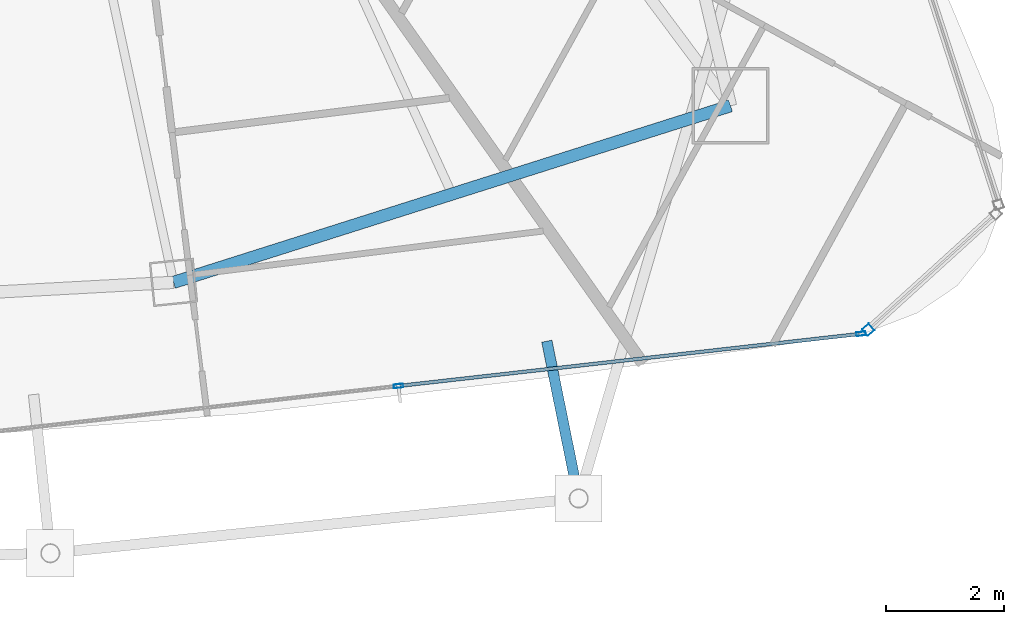
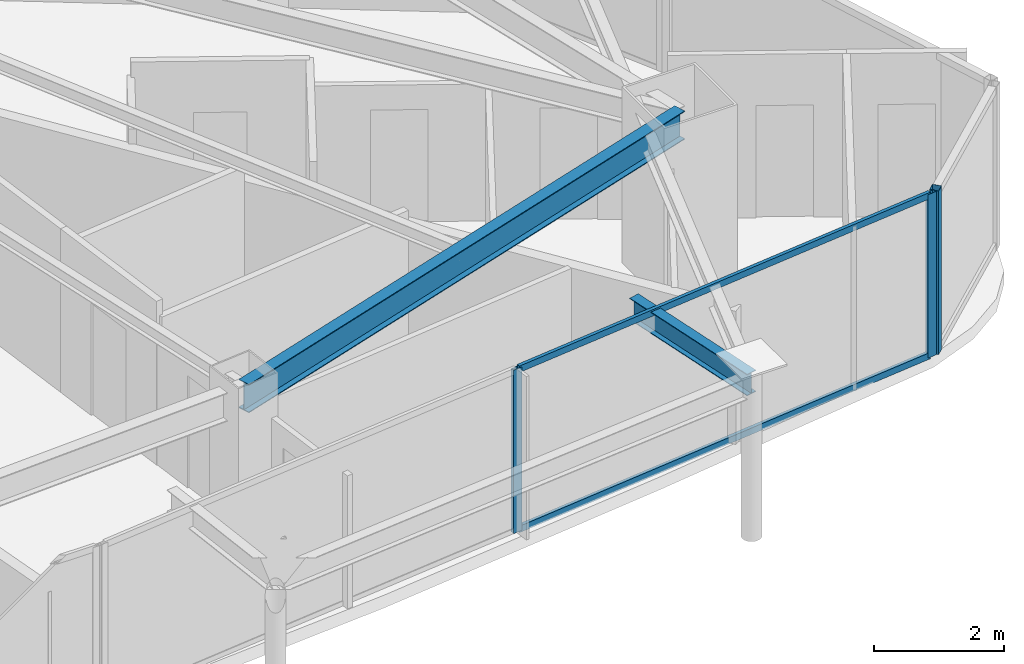
# One storey, part 15 of 33: 5 members, 2 beams, 2 elements without a shape of their own.
"""IFC4 building model written with IfcOpenShell, lengths in metres."""

import ifcopenshell
import ifcopenshell.guid

model = None  # the IFC model being written
_history = None  # IfcOwnerHistory: only IFC2X3 demands one
_inside = {}  # id of a spatial element -> (the spatial element, [elements in it])
_under = {}  # id of a project, library or spatial element -> (it, [spatial elements below it])
_declared = {}  # id of a project -> (the project, [libraries it declares])
_typed = {}  # id of a type object -> (the type object, [elements of that type])
_made_of = {}  # id of a material, layer set ... -> (it, [elements and type objects made of it])


def new_model(schema):
    """Start an empty IFC model of exactly this schema.

    Asked for "IFC4X3", IfcOpenShell would pick the latest addendum, in which some entities
    have other attributes; the version numbers below select the first issue.
    IFC2X3 requires an IfcOwnerHistory on every rooted entity: one is made here for all.
    """
    global model, _history
    if schema == "IFC4X3":
        model = ifcopenshell.file(schema_version=(4, 3, 0, 0))
    else:
        model = ifcopenshell.file(schema=schema)
    _inside.clear()
    _under.clear()
    _declared.clear()
    _typed.clear()
    _made_of.clear()
    _history = None
    if model.schema == "IFC2X3":
        org = make("IfcOrganization", Name="unknown")
        user = make(
            "IfcPersonAndOrganization",
            ThePerson=make("IfcPerson", FamilyName="unknown"),
            TheOrganization=org,
        )
        app = make(
            "IfcApplication",
            ApplicationDeveloper=org,
            Version="unknown",
            ApplicationFullName="unknown",
            ApplicationIdentifier="unknown",
        )
        _history = make(
            "IfcOwnerHistory",
            OwningUser=user,
            OwningApplication=app,
            ChangeAction="ADDED",
            CreationDate=0,
        )
    return model


def make(cls, **values):
    """One entity of the class cls with the attributes given. An attribute that is None is left unset."""
    return model.create_entity(
        cls, **{name: value for name, value in values.items() if value is not None}
    )


def rooted(cls, **values):
    """An entity with a GlobalId (a new one), such as an element, a storey or a relation."""
    return make(cls, GlobalId=ifcopenshell.guid.new(), OwnerHistory=_history, **values)


def si_unit(unit_type, name, prefix=None):
    """IfcSIUnit, for example si_unit("LENGTHUNIT", "METRE", prefix="MILLI")."""
    return make("IfcSIUnit", UnitType=unit_type, Prefix=prefix, Name=name)


def assignment(units):
    """IfcUnitAssignment: the units of a project."""
    return None if units is None else make("IfcUnitAssignment", Units=units)


def point(xyz):
    """IfcCartesianPoint."""
    return None if xyz is None else make("IfcCartesianPoint", Coordinates=xyz)


def direction(xyz):
    """IfcDirection."""
    return None if xyz is None else make("IfcDirection", DirectionRatios=xyz)


def frame(location, z_axis=None, x_axis=None):
    """IfcAxis2Placement3D, a coordinate frame: its origin and axes. An axis left out is left unset."""
    return make(
        "IfcAxis2Placement3D",
        Location=point(location),
        Axis=direction(z_axis),
        RefDirection=direction(x_axis),
    )


def frame_2d(location, x_axis=None):
    """IfcAxis2Placement2D, a coordinate frame in the plane: its origin and x axis."""
    return make(
        "IfcAxis2Placement2D", Location=point(location), RefDirection=direction(x_axis)
    )


def origin():
    """The frame at (0, 0, 0) with its axes left unset."""
    return frame((0.0, 0.0, 0.0))


def origin_2d():
    """The frame at (0, 0) in the plane with its x axis left unset."""
    return frame_2d((0.0, 0.0))


def place(relative_to, where):
    """IfcLocalPlacement: puts the frame where relative to a parent placement (None: the world)."""
    return make(
        "IfcLocalPlacement", PlacementRelTo=relative_to, RelativePlacement=where
    )


def context(
    kind, dimensions, precision=None, world=None, true_north=None, identifier=None
):
    """IfcGeometricRepresentationContext, for example the 3D "Model" context."""
    return make(
        "IfcGeometricRepresentationContext",
        ContextIdentifier=identifier,
        ContextType=kind,
        CoordinateSpaceDimension=dimensions,
        Precision=precision,
        WorldCoordinateSystem=world,
        TrueNorth=true_north,
    )


def subcontext(parent, identifier, kind, view, scale=None):
    """IfcGeometricRepresentationSubContext, for example "Body" below "Model"."""
    return make(
        "IfcGeometricRepresentationSubContext",
        ContextIdentifier=identifier,
        ContextType=kind,
        ParentContext=parent,
        TargetScale=scale,
        TargetView=view,
    )


def project(units=None, contexts=None):
    """IfcProject with its units and contexts."""
    return rooted(
        "IfcProject",
        Name="project",
        RepresentationContexts=contexts,
        UnitsInContext=assignment(units),
    )


def spatial(cls, under=None, at=None, **own):
    """A site, building, storey or space (cls), placed at a placement, below another one or the project."""
    s = rooted(cls, ObjectPlacement=at, **own)
    if under is not None:
        _under.setdefault(under.id(), (under, []))[1].append(s)
    return s


def profile(cls, at=None, kind="AREA", **sizes):
    """A parametric profile (cls). Its sizes go by their IFC names, for example OverallWidth=200.0."""
    return make(cls, ProfileType=kind, Position=at, **sizes)


def hollow_rectangle(**sizes):
    """IfcRectangleHollowProfileDef."""
    return profile("IfcRectangleHollowProfileDef", **sizes)


def i_section(**sizes):
    """IfcIShapeProfileDef."""
    return profile("IfcIShapeProfileDef", **sizes)


def extrude(swept, where, along, depth):
    """IfcExtrudedAreaSolid: the profile swept, set in the frame where, extruded along a direction by depth."""
    return make(
        "IfcExtrudedAreaSolid",
        SweptArea=swept,
        Position=where,
        ExtrudedDirection=direction(along),
        Depth=depth,
    )


def shape(context_of_items, identifier, shape_type, items):
    """IfcShapeRepresentation: the items that make up one representation, for example the "Body"."""
    return make(
        "IfcShapeRepresentation",
        ContextOfItems=context_of_items,
        RepresentationIdentifier=identifier,
        RepresentationType=shape_type,
        Items=items,
    )


def material(Name=None, Category=None):
    """IfcMaterial."""
    return make("IfcMaterial", Name=Name, Category=Category)


def layer(
    of_material, thickness, ventilated=None, Name=None, Category=None, Priority=None
):
    """IfcMaterialLayer: one layer of a wall or slab, of a material (None: an air gap)."""
    return make(
        "IfcMaterialLayer",
        Material=of_material,
        LayerThickness=thickness,
        IsVentilated=ventilated,
        Name=Name,
        Category=Category,
        Priority=Priority,
    )


def layer_set(layers, Name=None):
    """IfcMaterialLayerSet."""
    return make("IfcMaterialLayerSet", MaterialLayers=layers, LayerSetName=Name)


def material_profile(
    of_material, cross_section, Name=None, Category=None, Priority=None
):
    """IfcMaterialProfile: a cross section and its material."""
    return make(
        "IfcMaterialProfile",
        Name=Name,
        Material=of_material,
        Profile=cross_section,
        Priority=Priority,
        Category=Category,
    )


def profile_set(profiles, Name=None, composite=None):
    """IfcMaterialProfileSet."""
    return make(
        "IfcMaterialProfileSet",
        Name=Name,
        MaterialProfiles=profiles,
        CompositeProfile=composite,
    )


def made_of(thing, what):
    """Note that an element or type object is made of a material, layer set ...; save() writes the relation."""
    if what is not None:
        _made_of.setdefault(what.id(), (what, []))[1].append(thing)
    return thing


def type_object(cls, material=None, **own):
    """A type object (cls), such as IfcWallType, which elements share."""
    return made_of(rooted(cls, **own), material)


def element(
    cls,
    number,
    at=None,
    inside=None,
    cuts=None,
    type_object=None,
    material=None,
    context=None,
    identifier="Body",
    shape_type=None,
    held_by="IfcProductDefinitionShape",
    body=None,
    shapes=None,
    **own,
):
    """One element of the class cls, such as IfcWall. Its Tag is "e" and its number.

    at: its placement. inside: the storey or other place that contains it. cuts: it is an
    opening in that element (IfcRelVoidsElement). A single representation is given by context,
    identifier, shape_type and body (its items); several are given by shapes. held_by: the class
    of the entity that holds the representations. save() writes the other relations.
    """
    e = rooted(cls, Tag="e%d" % number, ObjectPlacement=at, **own)
    if body is not None:
        shapes = [shape(context, identifier, shape_type, body)]
    if shapes is not None:
        e.Representation = make(held_by, Representations=shapes)
    if inside is not None:
        _inside.setdefault(inside.id(), (inside, []))[1].append(e)
    if cuts is not None:
        rooted(
            "IfcRelVoidsElement", RelatingBuildingElement=cuts, RelatedOpeningElement=e
        )
    if type_object is not None:
        _typed.setdefault(type_object.id(), (type_object, []))[1].append(e)
    return made_of(e, material)


def aggregate(whole, parts):
    """IfcRelAggregates: a whole, such as a stair, and the parts it consists of."""
    return rooted("IfcRelAggregates", RelatingObject=whole, RelatedObjects=parts)


def save(model, path):
    """Write the relations noted so far, then the file.

    IfcRelAggregates (storeys below a building ...), IfcRelContainedInSpatialStructure (elements
    in a storey), IfcRelDefinesByType, IfcRelAssociatesMaterial and IfcRelDeclares: one each for
    every whole, place, type object, material and project.
    """
    for whole, parts in _under.values():
        aggregate(whole, parts)
    for where, things in _inside.values():
        rooted(
            "IfcRelContainedInSpatialStructure",
            RelatedElements=things,
            RelatingStructure=where,
        )
    for kind, things in _typed.values():
        rooted("IfcRelDefinesByType", RelatedObjects=things, RelatingType=kind)
    for what, things in _made_of.values():
        rooted("IfcRelAssociatesMaterial", RelatedObjects=things, RelatingMaterial=what)
    for by, libraries in _declared.values():
        rooted("IfcRelDeclares", RelatingContext=by, RelatedDefinitions=libraries)
    model.write(path)


model = new_model("IFC4")

# Units and contexts
model_context = context("Model", 3, precision=1e-05, world=origin(), true_north=direction((0.0, 1.0)))
body_context = subcontext(model_context, "Body", "Model", "MODEL_VIEW")
ifc_project = project(units=[si_unit("LENGTHUNIT", "METRE"), si_unit("AREAUNIT", "SQUARE_METRE"), si_unit("VOLUMEUNIT", "CUBIC_METRE"), si_unit("PLANEANGLEUNIT", "RADIAN"), si_unit("MASSUNIT", "GRAM", prefix="KILO")], contexts=[model_context])

# Site, building, storey
site_placement = place(None, origin())
site = spatial("IfcSite", under=ifc_project, at=site_placement, CompositionType="ELEMENT")
building_placement = place(site_placement, origin())
building = spatial("IfcBuilding", under=site, at=building_placement, Name="Orvanel Arch Residences", CompositionType="ELEMENT")
storey_placement = place(building_placement, frame((0.0, 0.0, 212.89990234375)))
storey = spatial("IfcBuildingStorey", under=building, at=storey_placement, Name="L60", CompositionType="ELEMENT", Elevation=212.89990234375)

# Curtain wall, member
ifc_material_1 = material(Name="Bronze-anodised aluminium AA6063-T6", Category="aluminium")
ifc_layer_1 = layer(ifc_material_1, 0.18994140625)
ifc_layer_set_1 = layer_set([ifc_layer_1], Name="Bronze-anodised aluminium AA6063-T6")
curtain_wall_type_1 = type_object("IfcCurtainWallType", Name="CW5-CRN-SYS", PredefinedType="NOTDEFINED", material=ifc_layer_set_1)
curtain_wall_1_placement = place(storey_placement, origin())
curtain_wall_1 = element("IfcCurtainWall", 1, at=curtain_wall_1_placement, inside=storey, type_object=curtain_wall_type_1, Name="L60 CW5-CRN-SYS Unitised Curtain Wall", PredefinedType="NOTDEFINED")
ifc_material_profile_1 = material_profile(ifc_material_1, hollow_rectangle(XDim=0.14990234375, YDim=0.14990234375, WallThickness=0.0048828125, at=origin_2d()), Name="ALU150x150x5")
ifc_profile_set_1 = profile_set([ifc_material_profile_1], Name="Bronze-anodised aluminium AA6063-T6")
member_type_1 = type_object("IfcMemberType", Name="MUL-150x150", PredefinedType="MULLION", material=ifc_profile_set_1)
member_1_placement = place(storey_placement, frame((54.138427734375, 6.551513671875, 0.0), z_axis=(0.0, 0.0, 1.0), x_axis=(-0.672511070676, 0.740087062323, 0.0)))
member_1 = element("IfcMember", 2, at=member_1_placement, type_object=member_type_1, Name="CW-S5 mullion 1", PredefinedType="MULLION", context=body_context, shape_type="SweptSolid", body=[
    extrude(hollow_rectangle(XDim=0.14990234375, YDim=0.14990234375, WallThickness=0.0048828125, at=origin_2d()), origin(), (0.0, 0.0, 1.0), 3.06005859375),
])
aggregate(curtain_wall_1, [member_1])

# Curtain wall, members
ifc_layer_2 = layer(ifc_material_1, 0.175048828125)
ifc_layer_set_2 = layer_set([ifc_layer_2], Name="Bronze-anodised aluminium AA6063-T6")
curtain_wall_type_2 = type_object("IfcCurtainWallType", Name="CW4-HI-SYS", PredefinedType="NOTDEFINED", material=ifc_layer_set_2)
curtain_wall_2_placement = place(storey_placement, origin())
curtain_wall_2 = element("IfcCurtainWall", 3, at=curtain_wall_2_placement, inside=storey, type_object=curtain_wall_type_2, Name="L60 CW4-HI-SYS Unitised Curtain Wall", PredefinedType="NOTDEFINED")
ifc_material_profile_2 = material_profile(ifc_material_1, hollow_rectangle(XDim=0.06494140625, YDim=0.159912109375, WallThickness=0.00390625, at=origin_2d()), Name="ALU160x65x4")
ifc_profile_set_2 = profile_set([ifc_material_profile_2], Name="Bronze-anodised aluminium AA6063-T6")
member_type_2 = type_object("IfcMemberType", Name="MUL-160x65", PredefinedType="MULLION", material=ifc_profile_set_2)
member_2_placement = place(storey_placement, frame((46.16748046875, 5.597412109375, 0.0), z_axis=(0.0, 0.0, 1.0), x_axis=(-0.11203680669, 0.993704057528, 0.0)))
member_2 = element("IfcMember", 4, at=member_2_placement, type_object=member_type_2, Name="CW-S4 mullion 2", PredefinedType="MULLION", context=body_context, shape_type="SweptSolid", body=[
    extrude(hollow_rectangle(XDim=0.06494140625, YDim=0.159912109375, WallThickness=0.00390625, at=origin_2d()), origin(), (0.0, 0.0, 1.0), 3.06005859375),
])
member_3_placement = place(storey_placement, frame((54.015625, 6.482421875, 0.0), z_axis=(0.0, 0.0, 1.0), x_axis=(-0.11203680669, 0.993704057528, 0.0)))
member_3 = element("IfcMember", 5, at=member_3_placement, type_object=member_type_2, Name="CW-S4 mullion 3", PredefinedType="MULLION", context=body_context, shape_type="SweptSolid", body=[
    extrude(hollow_rectangle(XDim=0.06494140625, YDim=0.159912109375, WallThickness=0.00390625, at=origin_2d()), origin(), (0.0, 0.0, 1.0), 3.06005859375),
])

# Beams
ifc_material_2 = material(Name="Structural steel AS/NZS 3679.1 Grade 300 (300 MPa)", Category="steel")
ifc_material_profile_3 = material_profile(ifc_material_2, i_section(OverallWidth=0.177978515625, OverallDepth=0.406005859375, WebThickness=0.0078125, FlangeThickness=0.0126953125, at=origin_2d()), Name="410UB59.7")
ifc_profile_set_3 = profile_set([ifc_material_profile_3], Name="Structural steel AS/NZS 3679.1 Grade 300 (300 MPa)")
beam_type_1 = type_object("IfcBeamType", Name="OB-410UB-EXT", PredefinedType="SPANDREL", material=ifc_profile_set_3)
beam_1_placement = place(storey_placement, frame((48.68505859375, 6.35693359375, 2.857177734375), z_axis=(0.198392330304, -0.980122687869, 0.0), x_axis=(0.980122687869, 0.198392330304, 0.0)))
element("IfcBeam", 6, at=beam_1_placement, inside=storey, type_object=beam_type_1, Name="L60 Outer Frame Radial Tie Beam 08", PredefinedType="SPANDREL", context=body_context, shape_type="SweptSolid", body=[
    extrude(i_section(OverallWidth=0.177978515625, OverallDepth=0.406005859375, WebThickness=0.0078125, FlangeThickness=0.0126953125, at=origin_2d()), origin(), (0.0, 0.0, 1.0), 2.72216796875),
])
ifc_material_profile_4 = material_profile(ifc_material_2, i_section(OverallWidth=0.208984375, OverallDepth=0.532958984375, WebThickness=0.01025390625, FlangeThickness=0.015625, at=origin_2d()), Name="530UB92.4")
ifc_profile_set_4 = profile_set([ifc_material_profile_4], Name="Structural steel AS/NZS 3679.1 Grade 300 (300 MPa)")
beam_type_2 = type_object("IfcBeamType", Name="SP-530UB", PredefinedType="SPANDREL", material=ifc_profile_set_4)
beam_2_placement = place(storey_placement, frame((42.35107421875, 7.35498046875, 2.794189453125), z_axis=(0.953237386592, 0.302222574941, 0.0), x_axis=(-0.302222574941, 0.953237386592, 0.0)))
element("IfcBeam", 7, at=beam_2_placement, inside=storey, type_object=beam_type_2, Name="L60 Perimeter Spandrel Beam 05", PredefinedType="SPANDREL", context=body_context, shape_type="SweptSolid", body=[
    extrude(i_section(OverallWidth=0.208984375, OverallDepth=0.532958984375, WebThickness=0.01025390625, FlangeThickness=0.015625, at=origin_2d()), origin(), (0.0, 0.0, 1.0), 9.91357421875),
])

# Member
ifc_material_profile_5 = material_profile(ifc_material_1, hollow_rectangle(XDim=0.06005859375, YDim=0.1201171875, WallThickness=0.00341796875, at=origin_2d()), Name="ALU120x60x3.5")
ifc_profile_set_5 = profile_set([ifc_material_profile_5], Name="Bronze-anodised aluminium AA6063-T6")
member_type_3 = type_object("IfcMemberType", Name="TRN-120x60", PredefinedType="USERDEFINED", material=ifc_profile_set_5)
member_4_placement = place(storey_placement, frame((46.19970703125, 5.60107421875, 0.030029296875), z_axis=(0.993702630569, 0.112049462295, 0.0), x_axis=(-0.112049462295, 0.993702630569, 0.0)))
member_4 = element("IfcMember", 8, at=member_4_placement, type_object=member_type_3, Name="CW-S4 transom 2.1", ObjectType="TRANSOM", PredefinedType="USERDEFINED", context=body_context, shape_type="SweptSolid", body=[
    extrude(hollow_rectangle(XDim=0.06005859375, YDim=0.1201171875, WallThickness=0.00341796875, at=origin_2d()), origin(), (0.0, 0.0, 1.0), 7.8330078125),
])

member_5_placement = place(storey_placement, frame((46.19970703125, 5.60107421875, 3.030029296875), z_axis=(0.993702630569, 0.112049462295, 0.0), x_axis=(-0.112049462295, 0.993702630569, 0.0)))
member_5 = element("IfcMember", 9, at=member_5_placement, type_object=member_type_3, Name="CW-S4 transom 2.2", ObjectType="TRANSOM", PredefinedType="USERDEFINED", context=body_context, shape_type="SweptSolid", body=[
    extrude(hollow_rectangle(XDim=0.06005859375, YDim=0.1201171875, WallThickness=0.00341796875, at=origin_2d()), origin(), (0.0, 0.0, 1.0), 7.8330078125),
])

aggregate(curtain_wall_2, [member_2, member_3, member_4, member_5])

save(model, "model.ifc")
